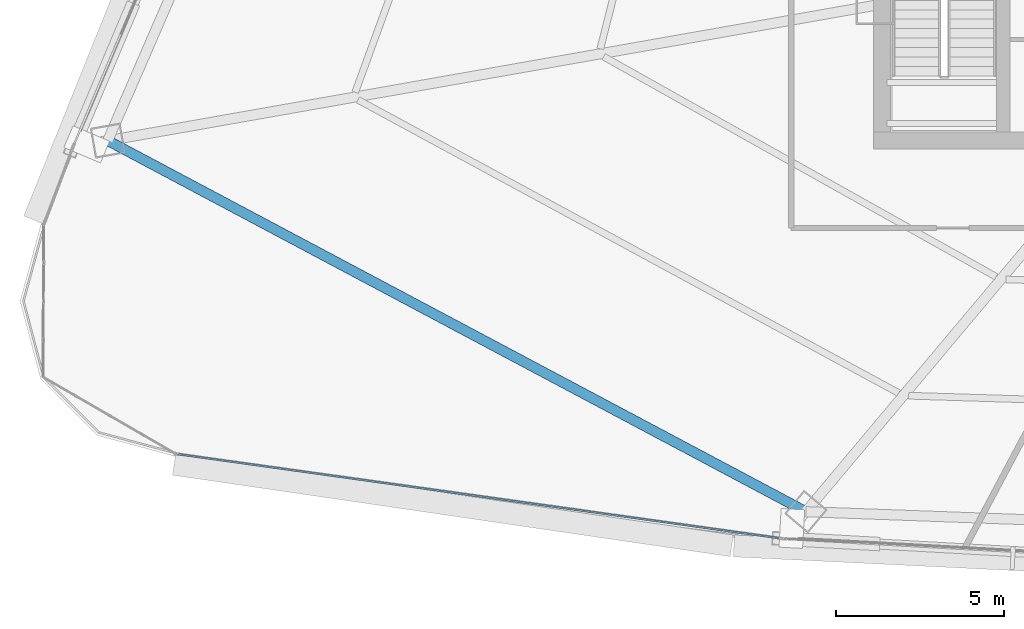
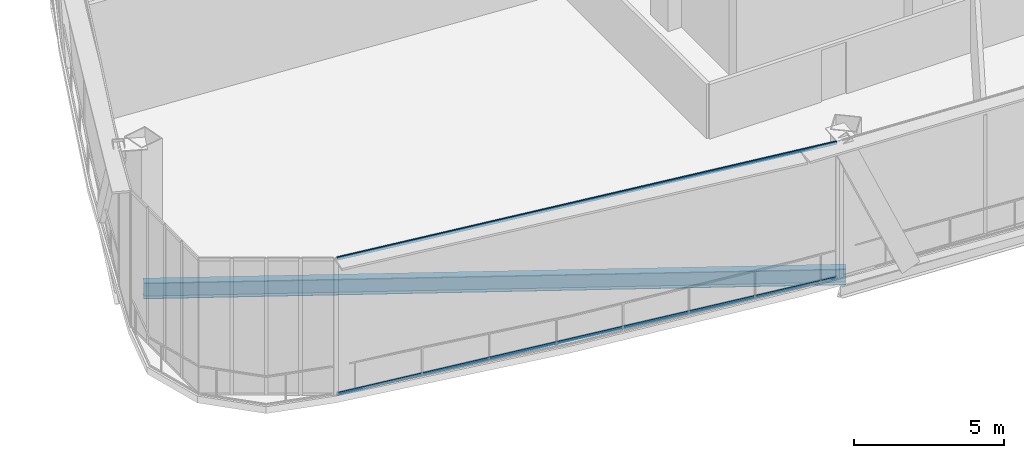
# One storey, part 3 of 38: 2 members, 1 beam, 1 element without a shape of its own.
"""IFC4 building model written with IfcOpenShell, lengths in metres."""

from ifc_helpers import new_model, si_unit, direction, frame, origin, origin_2d, place, context, subcontext, project, spatial, hollow_rectangle, i_section, extrude, source, transform, mapped, material, layer, layer_set, material_profile, profile_set, type_object, element, aggregate, save


model = new_model("IFC4")

# Units and contexts
model_context = context("Model", 3, precision=1e-05, world=origin(), true_north=direction((0.0, 1.0)))
body_context = subcontext(model_context, "Body", "Model", "MODEL_VIEW")
ifc_project = project(units=[si_unit("LENGTHUNIT", "METRE"), si_unit("AREAUNIT", "SQUARE_METRE"), si_unit("VOLUMEUNIT", "CUBIC_METRE"), si_unit("PLANEANGLEUNIT", "RADIAN"), si_unit("MASSUNIT", "GRAM", prefix="KILO"), si_unit("THERMODYNAMICTEMPERATUREUNIT", "KELVIN"), si_unit("POWERUNIT", "WATT")], contexts=[model_context])

# Site, building, storey
site_placement = place(None, origin())
site = spatial("IfcSite", under=ifc_project, at=site_placement, CompositionType="ELEMENT")
building_placement = place(site_placement, origin())
building = spatial("IfcBuilding", under=site, at=building_placement, Name="Yunzhuo Pagoda Commons", CompositionType="ELEMENT")
storey_placement = place(building_placement, frame((0.0, 0.0, 218.9599609375)))
storey = spatial("IfcBuildingStorey", under=building, at=storey_placement, Name="L55", CompositionType="ELEMENT", Elevation=218.9599609375)

# Beam
ifc_material_1 = material(Name="Structural steel Q355B", Category="steel")
ifc_material_profile_1 = material_profile(ifc_material_1, i_section(OverallWidth=0.300048828125, OverallDepth=0.64990234375, WebThickness=0.012939453125, FlangeThickness=0.02197265625, at=origin_2d()), Name="Structural steel Q355B")
ifc_profile_set_1 = profile_set([ifc_material_profile_1], Name="Structural steel Q355B")
beam_type = type_object("IfcBeamType", Name="B-RG2 Beam HN 650x300x13x22", PredefinedType="BEAM", material=ifc_profile_set_1)
shared_shape_1 = source(origin(), body_context, "Body", "SweptSolid", [
    extrude(i_section(OverallWidth=0.300048828125, OverallDepth=0.64990234375, WebThickness=0.012939453125, FlangeThickness=0.02197265625, at=origin_2d()), origin(), (0.0, 0.0, 1.0), 23.49365234375),
])
beam_placement = place(storey_placement, frame((12.79345703125, 27.492431640625, -0.604736328125), z_axis=(0.883016269865, -0.469342377325, 0.0), x_axis=(0.469342377325, 0.883016269865, 0.0)))
element("IfcBeam", 1, at=beam_placement, inside=storey, type_object=beam_type, Name="L55 column-ring beam 12", PredefinedType="BEAM", context=body_context, shape_type="MappedRepresentation", body=[
    mapped(shared_shape_1, transform((0.0, 0.0, 0.0), scale=1.0)),
])

# Curtain wall, members
ifc_material_2 = material(Name="Anodized aluminium 6063-T6", Category="aluminium")
ifc_layer = layer(ifc_material_2, 0.14990234375)
ifc_layer_set = layer_set([ifc_layer], Name="Anodized aluminium 6063-T6")
curtain_wall_type = type_object("IfcCurtainWallType", Name="CW-MID Mid-Zone Ribbon Curtain Wall", PredefinedType="NOTDEFINED", material=ifc_layer_set)
curtain_wall_placement = place(storey_placement, origin())
curtain_wall = element("IfcCurtainWall", 2, at=curtain_wall_placement, inside=storey, type_object=curtain_wall_type, Name="L55 curtain wall CW-L55-F1B1", PredefinedType="NOTDEFINED")
ifc_material_profile_2 = material_profile(ifc_material_2, hollow_rectangle(XDim=0.054931640625, YDim=0.1298828125, WallThickness=0.00341796875, at=origin_2d()), Name="Anodized aluminium 6063-T6")
ifc_profile_set_2 = profile_set([ifc_material_profile_2], Name="Anodized aluminium 6063-T6")
member_type = type_object("IfcMemberType", Name="CW-MID-T Transom RHS 130x55x3.5", PredefinedType="USERDEFINED", material=ifc_profile_set_2)
shared_shape_2 = source(origin(), body_context, "Body", "SweptSolid", [
    extrude(hollow_rectangle(XDim=0.054931640625, YDim=0.1298828125, WallThickness=0.00341796875, at=origin_2d()), origin(), (0.0, 0.0, 1.0), 18.02490234375),
])
member_1_placement = place(storey_placement, frame((14.878662109375, 18.173583984375, 0.027587890625), z_axis=(0.990385959473, -0.138331671281, 0.0), x_axis=(0.138331671281, 0.990385959473, 0.0)))
member_1 = element("IfcMember", 3, at=member_1_placement, type_object=member_type, Name="CW transom 1.1", ObjectType="TRANSOM", PredefinedType="USERDEFINED", context=body_context, shape_type="MappedRepresentation", body=[
    mapped(shared_shape_2, transform((0.0, 0.0, 0.0), scale=1.0)),
])
member_2_placement = place(storey_placement, frame((14.878662109375, 18.173583984375, 5.54248046875), z_axis=(0.990385959473, -0.138331671281, 0.0), x_axis=(0.138331671281, 0.990385959473, 0.0)))
member_2 = element("IfcMember", 4, at=member_2_placement, type_object=member_type, Name="CW transom 1.2", ObjectType="TRANSOM", PredefinedType="USERDEFINED", context=body_context, shape_type="MappedRepresentation", body=[
    mapped(shared_shape_2, transform((0.0, 0.0, 0.0), scale=1.0)),
])
aggregate(curtain_wall, [member_1, member_2])

save(model, "model.ifc")
